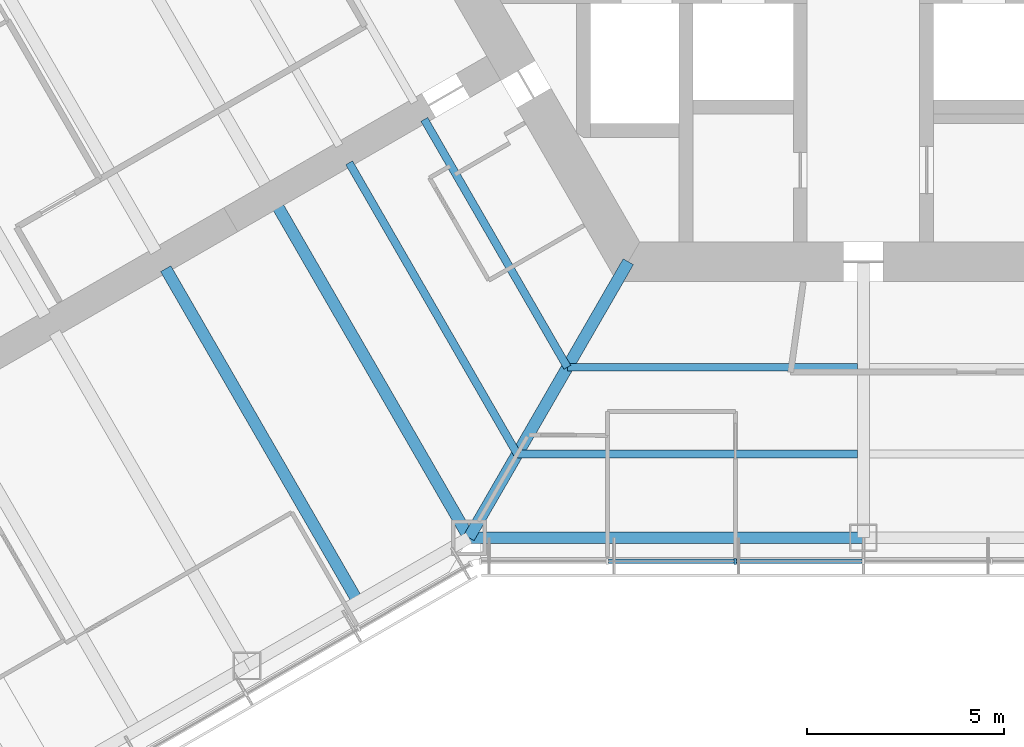
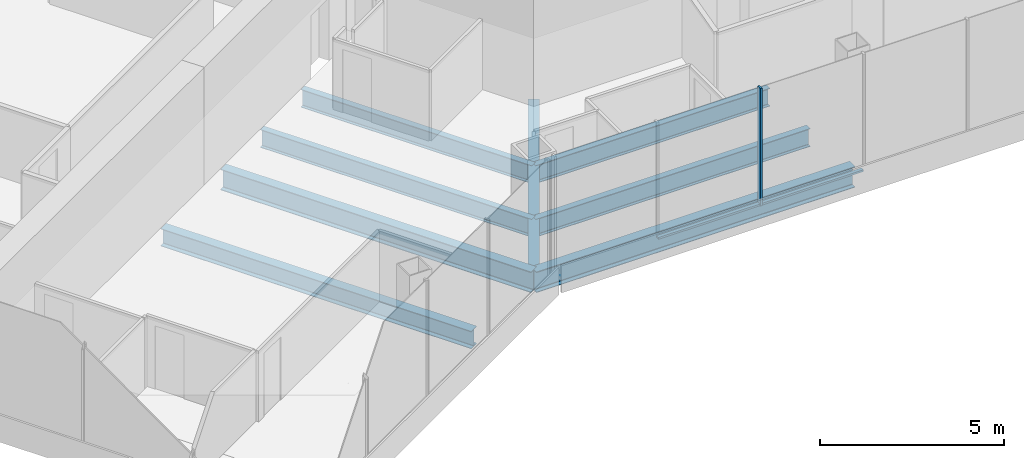
# One storey, part 3 of 18: 8 beams, 3 members, 1 element without a shape of its own.
"""IFC4 building model written with IfcOpenShell, lengths in metres."""

from ifc_helpers import new_model, si_unit, direction, frame, origin, origin_2d, place, context, subcontext, project, spatial, rectangle, i_section, extrude, material, material_profile, profile_set, type_object, element, aggregate, save


model = new_model("IFC4")

# Units and contexts
model_context = context("Model", 3, precision=1e-05, world=origin(), true_north=direction((0.0, 1.0)))
body_context = subcontext(model_context, "Body", "Model", "MODEL_VIEW")
ifc_project = project(units=[si_unit("LENGTHUNIT", "METRE"), si_unit("AREAUNIT", "SQUARE_METRE"), si_unit("VOLUMEUNIT", "CUBIC_METRE"), si_unit("PLANEANGLEUNIT", "RADIAN"), si_unit("MASSUNIT", "GRAM", prefix="KILO")], contexts=[model_context])

# Site, building, storey
site_placement = place(None, origin())
site = spatial("IfcSite", under=ifc_project, at=site_placement, CompositionType="ELEMENT")
building_placement = place(site_placement, origin())
building = spatial("IfcBuilding", under=site, at=building_placement, Name="Kasaneha Research Tower", CompositionType="ELEMENT")
storey_placement = place(building_placement, frame((0.0, 0.0, 199.39990234375)))
storey = spatial("IfcBuildingStorey", under=building, at=storey_placement, Name="L50", CompositionType="ELEMENT", Elevation=199.39990234375)

# Beams
ifc_material_1 = material(Name="Steel SN490B", Category="steel")
ifc_material_profile_1 = material_profile(ifc_material_1, i_section(OverallWidth=0.199951171875, OverallDepth=0.60009765625, WebThickness=0.010986328125, FlangeThickness=0.01708984375, FilletRadius=0.012939453125, at=origin_2d()), Name="H-600x200x11x17")
ifc_profile_set_1 = profile_set([ifc_material_profile_1], Name="Steel SN490B")
beam_type_1 = type_object("IfcBeamType", Name="B1-3 secondary beam H-600x200x11x17", PredefinedType="JOIST", material=ifc_profile_set_1)
beam_1_placement = place(storey_placement, frame((-7.505615234375, -13.0, -0.449951171875), z_axis=(-0.499993340521, 0.866029248602, 0.0), x_axis=(-0.866029248602, -0.499993340521, 0.0)))
element("IfcBeam", 1, at=beam_1_placement, inside=storey, type_object=beam_type_1, Name="Secondary beam RS210R1 L50", PredefinedType="JOIST", context=body_context, shape_type="SweptSolid", body=[
    extrude(i_section(OverallWidth=0.199951171875, OverallDepth=0.60009765625, WebThickness=0.010986328125, FlangeThickness=0.01708984375, FilletRadius=0.012939453125, at=origin_2d()), origin(), (0.0, 0.0, 1.0), 7.25537109375),
])
beam_2_placement = place(storey_placement, frame((-8.775634765625, -15.199951171875, -0.449951171875), z_axis=(-0.500004205306, 0.866022975836, 0.0), x_axis=(-0.866022975836, -0.500004205306, 0.0)))
element("IfcBeam", 2, at=beam_2_placement, inside=storey, type_object=beam_type_1, Name="Secondary beam RS210R2 L50", PredefinedType="JOIST", context=body_context, shape_type="SweptSolid", body=[
    extrude(i_section(OverallWidth=0.199951171875, OverallDepth=0.60009765625, WebThickness=0.010986328125, FlangeThickness=0.01708984375, FilletRadius=0.012939453125, at=origin_2d()), origin(), (0.0, 0.0, 1.0), 8.52587890625),
])
beam_3_placement = place(storey_placement, frame((-7.505615234375, -13.0, -0.449951171875), z_axis=(1.0, 0.0, 0.0), x_axis=(0.0, 1.0, 0.0)))
element("IfcBeam", 3, at=beam_3_placement, inside=storey, type_object=beam_type_1, Name="Secondary beam RS270L1 L50", PredefinedType="JOIST", context=body_context, shape_type="SweptSolid", body=[
    extrude(i_section(OverallWidth=0.199951171875, OverallDepth=0.60009765625, WebThickness=0.010986328125, FlangeThickness=0.01708984375, FilletRadius=0.012939453125, at=origin_2d()), origin(), (0.0, 0.0, 1.0), 7.355712890625),
])
beam_4_placement = place(storey_placement, frame((-8.775634765625, -15.199951171875, -0.449951171875), z_axis=(1.0, 0.0, 0.0), x_axis=(0.0, 1.0, 0.0)))
element("IfcBeam", 4, at=beam_4_placement, inside=storey, type_object=beam_type_1, Name="Secondary beam RS270L2 L50", PredefinedType="JOIST", context=body_context, shape_type="SweptSolid", body=[
    extrude(i_section(OverallWidth=0.199951171875, OverallDepth=0.60009765625, WebThickness=0.010986328125, FlangeThickness=0.01708984375, FilletRadius=0.012939453125, at=origin_2d()), origin(), (0.0, 0.0, 1.0), 8.625732421875),
])
ifc_material_2 = material(Name="Steel SN490B", Category="steel")
ifc_material_profile_2 = material_profile(ifc_material_2, i_section(OverallWidth=0.300048828125, OverallDepth=0.58203125, WebThickness=0.011962890625, FlangeThickness=0.01708984375, FilletRadius=0.012939453125, at=origin_2d()), Name="H-582x300x12x17")
ifc_profile_set_2 = profile_set([ifc_material_profile_2], Name="Steel SN490B")
beam_type_2 = type_object("IfcBeamType", Name="B2-3 secondary beam H-582x300x12x17", PredefinedType="JOIST", material=ifc_profile_set_2)
beam_5_placement = place(storey_placement, frame((-12.814697265625, -18.945556640625, -0.44091796875), z_axis=(-0.499995560238, 0.866027967067, 0.0), x_axis=(-0.866027967067, -0.499995560238, 0.0)))
element("IfcBeam", 5, at=beam_5_placement, inside=storey, type_object=beam_type_2, Name="Secondary beam WBBN1 L50", PredefinedType="JOIST", context=body_context, shape_type="SweptSolid", body=[
    extrude(i_section(OverallWidth=0.300048828125, OverallDepth=0.58203125, WebThickness=0.011962890625, FlangeThickness=0.01708984375, FilletRadius=0.012939453125, at=origin_2d()), origin(), (0.0, 0.0, 1.0), 9.75),
])

# Curtain wall, members
ifc_material_3 = material(Name="Glass and aluminium", Category="aluminium")
curtain_wall_type = type_object("IfcCurtainWallType", Name="Mid-rise office curtain wall", PredefinedType="USERDEFINED", material=ifc_material_3)
curtain_wall_placement = place(storey_placement, origin())
curtain_wall = element("IfcCurtainWall", 6, at=curtain_wall_placement, inside=storey, type_object=curtain_wall_type, Name="CW-O2 L50 run 01a", ObjectType="UNITISED CURTAIN WALL", PredefinedType="USERDEFINED")
ifc_material_4 = material(Name="Aluminium 6063-T6", Category="aluminium")
ifc_material_profile_3 = material_profile(ifc_material_4, rectangle(XDim=0.06005859375, YDim=0.14990234375, at=origin_2d()), Name="CW-O2 mullion 60x150")
ifc_profile_set_3 = profile_set([ifc_material_profile_3], Name="Aluminium 6063-T6")
member_type_1 = type_object("IfcMemberType", Name="CW-O2 mullion", PredefinedType="MULLION", material=ifc_profile_set_3)
member_1_placement = place(storey_placement, frame((-3.246337890625, -17.92041015625, 0.0), z_axis=(0.0, 0.0, 1.0), x_axis=(1.0, 0.0, 0.0)))
member_1 = element("IfcMember", 7, at=member_1_placement, type_object=member_type_1, Name="CW-O2 mullion 3", PredefinedType="MULLION", context=body_context, shape_type="SweptSolid", body=[
    extrude(rectangle(XDim=0.06005859375, YDim=0.14990234375, at=origin_2d()), origin(), (0.0, 0.0, 1.0), 3.900146484375),
])
ifc_material_5 = material(Name="Aluminium 6063-T6", Category="aluminium")
ifc_material_profile_4 = material_profile(ifc_material_5, rectangle(XDim=0.110107421875, YDim=0.06005859375, at=origin_2d()), Name="CW-O2 transom 110x60")
ifc_profile_set_4 = profile_set([ifc_material_profile_4], Name="Aluminium 6063-T6")
member_type_2 = type_object("IfcMemberType", Name="CW-O2 transom", PredefinedType="USERDEFINED", material=ifc_profile_set_4)
member_2_placement = place(storey_placement, frame((-6.462890625, -17.92041015625, 0.030029296875), z_axis=(1.0, 0.0, 0.0), x_axis=(0.0, 1.0, 0.0)))
member_2 = element("IfcMember", 8, at=member_2_placement, type_object=member_type_2, Name="CW-O2 transom 2", ObjectType="TRANSOM", PredefinedType="USERDEFINED", context=body_context, shape_type="SweptSolid", body=[
    extrude(rectangle(XDim=0.110107421875, YDim=0.06005859375, at=origin_2d()), origin(), (0.0, 0.0, 1.0), 3.1865234375),
])
member_3_placement = place(storey_placement, frame((-3.21630859375, -17.92041015625, 0.030029296875), z_axis=(1.0, 0.0, 0.0), x_axis=(0.0, 1.0, 0.0)))
member_3 = element("IfcMember", 9, at=member_3_placement, type_object=member_type_2, Name="CW-O2 transom 3", ObjectType="TRANSOM", PredefinedType="USERDEFINED", context=body_context, shape_type="SweptSolid", body=[
    extrude(rectangle(XDim=0.110107421875, YDim=0.06005859375, at=origin_2d()), origin(), (0.0, 0.0, 1.0), 3.186279296875),
])
aggregate(curtain_wall, [member_1, member_2, member_3])

# Beams
ifc_material_6 = material(Name="Steel SN490B", Category="steel")
ifc_material_profile_5 = material_profile(ifc_material_6, i_section(OverallWidth=0.300048828125, OverallDepth=0.699951171875, WebThickness=0.012939453125, FlangeThickness=0.02392578125, FilletRadius=0.01806640625, at=origin_2d()), Name="H-700x300x13x24")
ifc_profile_set_5 = profile_set([ifc_material_profile_5], Name="Steel SN490B")
beam_type_3 = type_object("IfcBeamType", Name="G1-3 radial girder H-700x300x13x24", PredefinedType="BEAM", material=ifc_profile_set_5)
beam_6_placement = place(storey_placement, frame((-5.961181640625, -10.324951171875, -0.5), z_axis=(-0.49999105496, -0.866030568144, 0.0), x_axis=(0.866030568144, -0.49999105496, 0.0)))
element("IfcBeam", 10, at=beam_6_placement, inside=storey, type_object=beam_type_3, Name="Radial girder RV240 L50", PredefinedType="BEAM", context=body_context, shape_type="SweptSolid", body=[
    extrude(i_section(OverallWidth=0.300048828125, OverallDepth=0.699951171875, WebThickness=0.012939453125, FlangeThickness=0.02392578125, FilletRadius=0.01806640625, at=origin_2d()), origin(), (0.0, 0.0, 1.0), 8.077880859375),
])
ifc_material_7 = material(Name="Steel SN490B", Category="steel")
ifc_material_profile_6 = material_profile(ifc_material_7, i_section(OverallWidth=0.300048828125, OverallDepth=0.69189453125, WebThickness=0.012939453125, FlangeThickness=0.02001953125, FilletRadius=0.01806640625, at=origin_2d()), Name="H-692x300x13x20")
ifc_profile_set_6 = profile_set([ifc_material_profile_6], Name="Steel SN490B")
beam_type_4 = type_object("IfcBeamType", Name="G3-3 plate edge girder H-692x300x13x20", PredefinedType="BEAM", material=ifc_profile_set_6)
beam_7_placement = place(storey_placement, frame((-10.0, -17.320556640625, -0.495849609375), z_axis=(-0.499995560238, 0.866027967067, 0.0), x_axis=(-0.866027967067, -0.499995560238, 0.0)))
element("IfcBeam", 11, at=beam_7_placement, inside=storey, type_object=beam_type_4, Name="Plate edge girder PEBN L50", PredefinedType="BEAM", context=body_context, shape_type="SweptSolid", body=[
    extrude(i_section(OverallWidth=0.300048828125, OverallDepth=0.69189453125, WebThickness=0.012939453125, FlangeThickness=0.02001953125, FilletRadius=0.01806640625, at=origin_2d()), origin(), (0.0, 0.0, 1.0), 9.75),
])
ifc_material_8 = material(Name="Steel SN490B", Category="steel")
ifc_material_profile_7 = material_profile(ifc_material_8, i_section(OverallWidth=0.300048828125, OverallDepth=0.69189453125, WebThickness=0.012939453125, FlangeThickness=0.02001953125, FilletRadius=0.01806640625, at=origin_2d()), Name="H-692x300x13x20")
ifc_profile_set_7 = profile_set([ifc_material_profile_7], Name="Steel SN490B")
beam_type_5 = type_object("IfcBeamType", Name="SB1-3 spandrel beam H-692x300x13x20", PredefinedType="SPANDREL", material=ifc_profile_set_7)
beam_8_placement = place(storey_placement, frame((-10.0, -17.320556640625, -0.495849609375), z_axis=(1.0, 0.0, 0.0), x_axis=(0.0, 1.0, 0.0)))
element("IfcBeam", 12, at=beam_8_placement, inside=storey, type_object=beam_type_5, Name="Spandrel beam SR270L L50", PredefinedType="SPANDREL", context=body_context, shape_type="SweptSolid", body=[
    extrude(i_section(OverallWidth=0.300048828125, OverallDepth=0.69189453125, WebThickness=0.012939453125, FlangeThickness=0.02001953125, FilletRadius=0.01806640625, at=origin_2d()), origin(), (0.0, 0.0, 1.0), 10.0),
])

save(model, "model.ifc")
